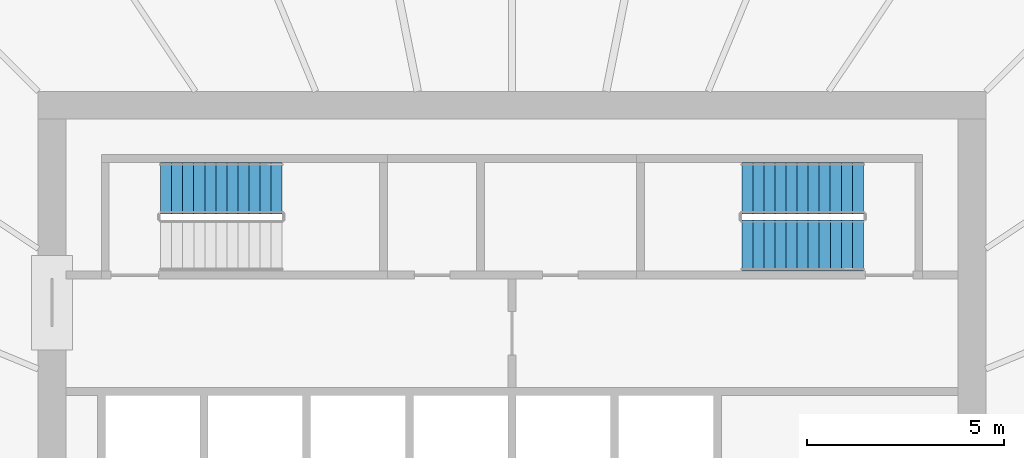
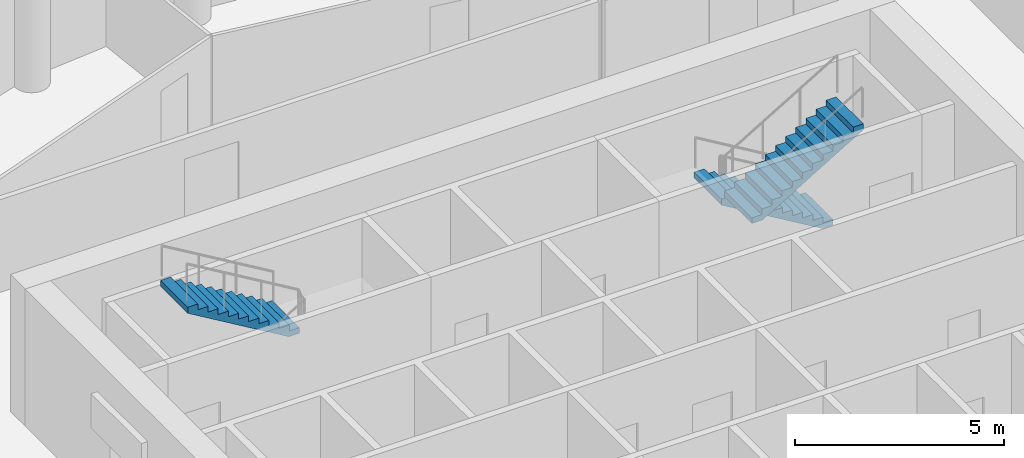
# One storey, part 7 of 8: 3 stair flights, 2 elements without a shape of their own.
"""IFC4 building model written with IfcOpenShell, lengths in metres."""

from ifc_helpers import new_model, si_unit, direction, frame, origin, place, context, subcontext, project, spatial, polyline, outline, extrude, material, type_object, element, aggregate, save


model = new_model("IFC4")

# Units and contexts
model_context = context("Model", 3, precision=1e-05, world=origin(), true_north=direction((0.0, 1.0)))
body_context = subcontext(model_context, "Body", "Model", "MODEL_VIEW")
ifc_project = project(units=[si_unit("LENGTHUNIT", "METRE"), si_unit("AREAUNIT", "SQUARE_METRE"), si_unit("VOLUMEUNIT", "CUBIC_METRE"), si_unit("PLANEANGLEUNIT", "RADIAN"), si_unit("MASSUNIT", "GRAM", prefix="KILO")], contexts=[model_context])

# Site, building, storey
site_placement = place(None, origin())
site = spatial("IfcSite", under=ifc_project, at=site_placement, CompositionType="ELEMENT")
building_placement = place(site_placement, origin())
building = spatial("IfcBuilding", under=site, at=building_placement, Name="Corvane Civic Tower", CompositionType="ELEMENT")
storey_placement = place(building_placement, frame((0.0, 0.0, 303.0)))
storey = spatial("IfcBuildingStorey", under=building, at=storey_placement, Name="L72", CompositionType="ELEMENT", Elevation=303.0)

# Stair, stair flights
ifc_material_1 = material(Name="Concrete C40/50", Category="concrete")
stair_type = type_object("IfcStairType", Name="ST-STAIR-HALFTURN", PredefinedType="HALF_TURN_STAIR", material=ifc_material_1)
stair_1_placement = place(storey_placement, origin())
stair_1 = element("IfcStair", 1, at=stair_1_placement, inside=storey, type_object=stair_type, Name="L72 Exit stair ST1", PredefinedType="HALF_TURN_STAIR")
ifc_material_2 = material(Name="Concrete C40/50", Category="concrete")
stair_flight_type = type_object("IfcStairFlightType", Name="ST-FLIGHT-RC", PredefinedType="STRAIGHT", material=ifc_material_2)
stair_flight_1_placement = place(storey_placement, frame((8.89990234375, 9.550048828125, 0.0), z_axis=(0.0, 0.0, 1.0), x_axis=(-1.0, 0.0, 0.0)))
stair_flight_1 = element("IfcStairFlight", 2, at=stair_flight_1_placement, type_object=stair_flight_type, Name="ST1 flight 1", NumberOfRisers=12, NumberOfTreads=11, PredefinedType="STRAIGHT", RiserHeight=0.166666667, TreadLength=0.28, context=body_context, shape_type="SweptSolid", body=[
    extrude(outline(polyline([(0.0, 0.0), (0.0, 0.166748046875), (0.280029296875, 0.166748046875), (0.280029296875, 0.333251953125), (0.56005859375, 0.333251953125), (0.56005859375, 0.5), (0.840087890625, 0.5), (0.840087890625, 0.666748046875), (1.1201171875, 0.666748046875), (1.1201171875, 0.833251953125), (1.39990234375, 0.833251953125), (1.39990234375, 1.0), (1.679931640625, 1.0), (1.679931640625, 1.166748046875), (1.9599609375, 1.166748046875), (1.9599609375, 1.333251953125), (2.239990234375, 1.333251953125), (2.239990234375, 1.5), (2.52001953125, 1.5), (2.52001953125, 1.666748046875), (2.800048828125, 1.666748046875), (2.800048828125, 1.833251953125), (3.080078125, 1.833251953125), (3.080078125, 2.0), (3.080078125, 1.658935546875), (0.29296875, 0.0), (0.0, 0.0)])), frame((0.0, 0.64990234375, 0.0), z_axis=(0.0, -1.0, 0.0), x_axis=(1.0, 0.0, 0.0)), (0.0, 0.0, 1.0), 1.300048828125),
])
stair_flight_2_placement = place(storey_placement, frame((5.820068359375, 8.10009765625, 2.0), z_axis=(0.0, 0.0, 1.0), x_axis=(1.0, 0.0, 0.0)))
stair_flight_2 = element("IfcStairFlight", 3, at=stair_flight_2_placement, type_object=stair_flight_type, Name="ST1 flight 2", NumberOfRisers=12, NumberOfTreads=11, PredefinedType="STRAIGHT", RiserHeight=0.166666667, TreadLength=0.28, context=body_context, shape_type="SweptSolid", body=[
    extrude(outline(polyline([(0.0, 0.0), (0.0, 0.166748046875), (0.280029296875, 0.166748046875), (0.280029296875, 0.333251953125), (0.56005859375, 0.333251953125), (0.56005859375, 0.5), (0.840087890625, 0.5), (0.840087890625, 0.666748046875), (1.1201171875, 0.666748046875), (1.1201171875, 0.833251953125), (1.39990234375, 0.833251953125), (1.39990234375, 1.0), (1.679931640625, 1.0), (1.679931640625, 1.166748046875), (1.9599609375, 1.166748046875), (1.9599609375, 1.333251953125), (2.239990234375, 1.333251953125), (2.239990234375, 1.5), (2.52001953125, 1.5), (2.52001953125, 1.666748046875), (2.800048828125, 1.666748046875), (2.800048828125, 1.833251953125), (3.080078125, 1.833251953125), (3.080078125, 2.0), (3.080078125, 1.658935546875), (0.29296875, 0.0), (0.0, 0.0)])), frame((0.0, 0.64990234375, 0.0), z_axis=(0.0, -1.0, 0.0), x_axis=(1.0, 0.0, 0.0)), (0.0, 0.0, 1.0), 1.300048828125),
])
aggregate(stair_1, [stair_flight_1, stair_flight_2])

# Stair, stair flight
stair_2_placement = place(storey_placement, origin())
stair_2 = element("IfcStair", 4, at=stair_2_placement, inside=storey, type_object=stair_type, Name="L72 Exit stair ST4", PredefinedType="HALF_TURN_STAIR")
stair_flight_3_placement = place(storey_placement, frame((-5.820068359375, 9.550048828125, 2.0), z_axis=(0.0, 0.0, 1.0), x_axis=(-1.0, 0.0, 0.0)))
stair_flight_3 = element("IfcStairFlight", 5, at=stair_flight_3_placement, type_object=stair_flight_type, Name="ST4 flight 2", NumberOfRisers=12, NumberOfTreads=11, PredefinedType="STRAIGHT", RiserHeight=0.166666667, TreadLength=0.28, context=body_context, shape_type="SweptSolid", body=[
    extrude(outline(polyline([(0.0, 0.0), (0.0, 0.166748046875), (0.280029296875, 0.166748046875), (0.280029296875, 0.333251953125), (0.56005859375, 0.333251953125), (0.56005859375, 0.5), (0.840087890625, 0.5), (0.840087890625, 0.666748046875), (1.1201171875, 0.666748046875), (1.1201171875, 0.833251953125), (1.39990234375, 0.833251953125), (1.39990234375, 1.0), (1.679931640625, 1.0), (1.679931640625, 1.166748046875), (1.9599609375, 1.166748046875), (1.9599609375, 1.333251953125), (2.239990234375, 1.333251953125), (2.239990234375, 1.5), (2.52001953125, 1.5), (2.52001953125, 1.666748046875), (2.800048828125, 1.666748046875), (2.800048828125, 1.833251953125), (3.080078125, 1.833251953125), (3.080078125, 2.0), (3.080078125, 1.658935546875), (0.29296875, 0.0), (0.0, 0.0)])), frame((0.0, 0.64990234375, 0.0), z_axis=(0.0, -1.0, 0.0), x_axis=(1.0, 0.0, 0.0)), (0.0, 0.0, 1.0), 1.300048828125),
])
aggregate(stair_2, [stair_flight_3])

save(model, "model.ifc")
